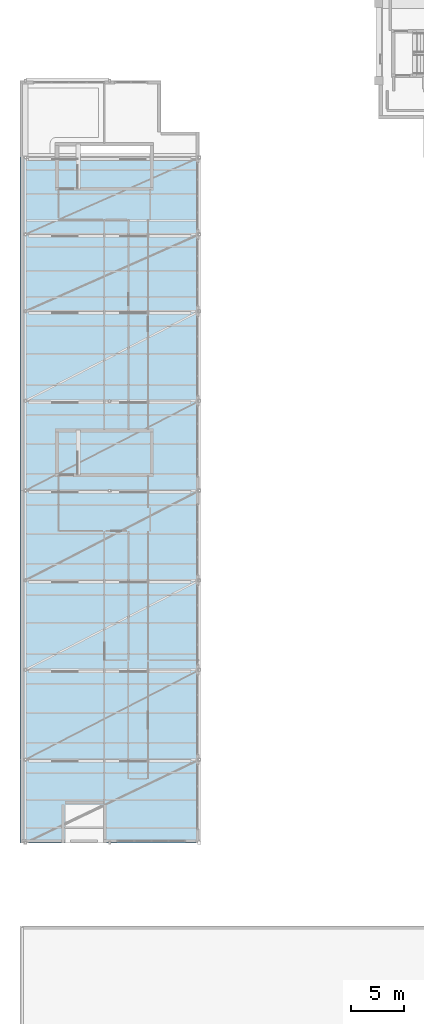
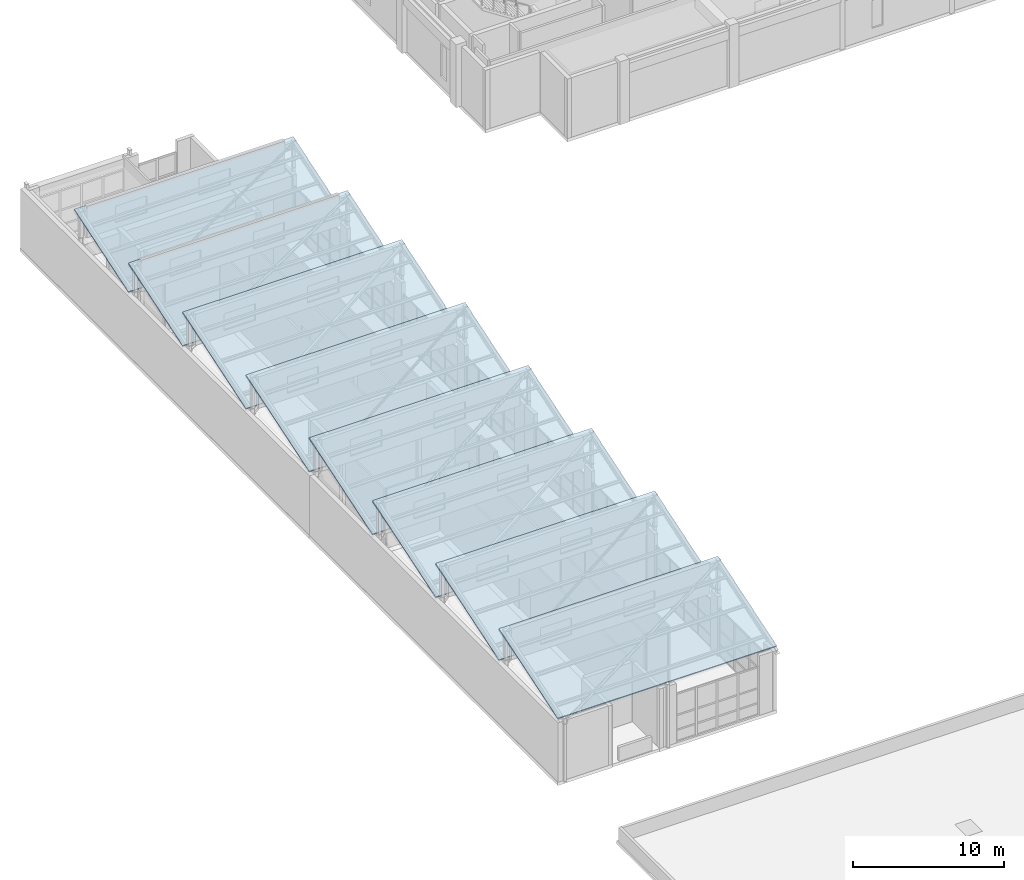
# One storey, part 31 of 34: 8 roofs.
"""IFC4 building model written with IfcOpenShell, lengths in metres."""

from ifc_helpers import new_model, si_unit, direction, frame, origin, place, context, subcontext, project, spatial, polyline, outline, extrude, material, layer, layer_set, type_object, element, save


model = new_model("IFC4")

# Units and contexts
model_context = context("Model", 3, precision=1e-05, world=origin(), true_north=direction((0.0, 1.0)))
body_context = subcontext(model_context, "Body", "Model", "MODEL_VIEW")
ifc_project = project(units=[si_unit("LENGTHUNIT", "METRE"), si_unit("AREAUNIT", "SQUARE_METRE"), si_unit("VOLUMEUNIT", "CUBIC_METRE"), si_unit("PLANEANGLEUNIT", "RADIAN"), si_unit("MASSUNIT", "GRAM", prefix="KILO")], contexts=[model_context])

# Site, building, storey
site_placement = place(None, origin())
site = spatial("IfcSite", under=ifc_project, at=site_placement, CompositionType="ELEMENT")
building_placement = place(site_placement, origin())
building = spatial("IfcBuilding", under=site, at=building_placement, Name="Quendrovan Civic Courthouse", CompositionType="ELEMENT")
storey_placement = place(building_placement, frame((0.0, 0.0, 25.5)))
storey = spatial("IfcBuildingStorey", under=building, at=storey_placement, Name="L06", CompositionType="ELEMENT", Elevation=25.5)

# Roofs
ifc_material = material(Name="Precast concrete C45/55", Category="concrete")
ifc_layer = layer(ifc_material, 0.10009765625, Name="Precast concrete C45/55")
ifc_layer_set = layer_set([ifc_layer], Name="Precast concrete C45/55")
roof_type = type_object("IfcRoofType", Name="ROOF-SHED-ASSY", PredefinedType="SHED_ROOF", material=ifc_layer_set)
roof_1_placement = place(storey_placement, frame((0.0, 23.39990234375, 5.199951171875), z_axis=(0.0, -0.309020780749, 0.951055286019), x_axis=(1.0, 0.0, 0.0)))
element("IfcRoof", 1, at=roof_1_placement, inside=storey, type_object=roof_type, Name="Law Library North-Light Shed Roof Assembly Bay 1", PredefinedType="SHED_ROOF", context=body_context, shape_type="SweptSolid", body=[
    extrude(outline(polyline([(0.0, 0.0), (16.800048828125, 0.0), (16.800048828125, 8.20146729931309), (0.0, 8.20146729931309), (0.0, 0.0)])), origin(), (0.0, 0.0, -1.0), 0.10009765625),
])
roof_2_placement = place(storey_placement, frame((0.0, 31.199951171875, 5.199951171875), z_axis=(0.0, -0.309004193636, 0.951060675412), x_axis=(1.0, 0.0, 0.0)))
element("IfcRoof", 2, at=roof_2_placement, inside=storey, type_object=roof_type, Name="Law Library North-Light Shed Roof Assembly Bay 2", PredefinedType="SHED_ROOF", context=body_context, shape_type="SweptSolid", body=[
    extrude(outline(polyline([(0.0, 0.0), (16.800048828125, 0.0), (16.800048828125, 8.832398080947703), (0.0, 8.832398080947703), (0.0, 0.0)])), origin(), (0.0, 0.0, -1.0), 0.10009765625),
])
for number, where, z_axis, x_axis, name in (
    (3, (0.0, 39.60009765625, 5.199951171875), (0.0, -0.309012317167, 0.951058036), (1.0, 0.0, 0.0), "Law Library North-Light Shed Roof Assembly Bay 3"),
    (4, (0.0, 48.0, 5.199951171875), (0.0, -0.309012317167, 0.951058036), (1.0, 0.0, 0.0), "Law Library North-Light Shed Roof Assembly Bay 4"),
):
    element("IfcRoof", number, at=place(storey_placement, frame(where, z_axis=z_axis, x_axis=x_axis)), inside=storey, type_object=roof_type, Name=name, PredefinedType="SHED_ROOF", context=body_context, shape_type="SweptSolid", body=[
        extrude(outline(polyline([(0.0, 0.0), (16.800048828125, 0.0), (16.800048828125, 8.832165888722184), (0.0, 8.832165888722184), (0.0, 0.0)])), origin(), (0.0, 0.0, -1.0), 0.10009765625),
    ])
roof_3_placement = place(storey_placement, frame((0.0, 56.39990234375, 5.199951171875), z_axis=(0.0, -0.309004193636, 0.951060675412), x_axis=(1.0, 0.0, 0.0)))
element("IfcRoof", 5, at=roof_3_placement, inside=storey, type_object=roof_type, Name="Law Library North-Light Shed Roof Assembly Bay 5", PredefinedType="SHED_ROOF", context=body_context, shape_type="SweptSolid", body=[
    extrude(outline(polyline([(0.0, 0.0), (16.800048828125, 0.0), (16.800048828125, 8.832398080947703), (0.0, 8.832398080947703), (0.0, 0.0)])), origin(), (0.0, 0.0, -1.0), 0.10009765625),
])
roof_4_placement = place(storey_placement, frame((0.0, 64.800048828125, 5.199951171875), z_axis=(0.0, -0.309012317167, 0.951058036), x_axis=(1.0, 0.0, 0.0)))
element("IfcRoof", 6, at=roof_4_placement, inside=storey, type_object=roof_type, Name="Law Library North-Light Shed Roof Assembly Bay 6", PredefinedType="SHED_ROOF", context=body_context, shape_type="SweptSolid", body=[
    extrude(outline(polyline([(0.0, 0.0), (16.800048828125, 0.0), (16.800048828125, 8.832165888722184), (0.0, 8.832165888722184), (0.0, 0.0)])), origin(), (0.0, 0.0, -1.0), 0.10009765625),
])
roof_5_placement = place(storey_placement, frame((0.0, 73.199951171875, 5.199951171875), z_axis=(0.0, -0.309010963217, 0.951058475916), x_axis=(1.0, 0.0, 0.0)))
element("IfcRoof", 7, at=roof_5_placement, inside=storey, type_object=roof_type, Name="Law Library North-Light Shed Roof Assembly Bay 7", PredefinedType="SHED_ROOF", context=body_context, shape_type="SweptSolid", body=[
    extrude(outline(polyline([(0.0, 0.0), (16.800048828125, 0.0), (16.800048828125, 7.57046107489859), (0.0, 7.57046107489859), (0.0, 0.0)])), origin(), (0.0, 0.0, -1.0), 0.10009765625),
])
roof_6_placement = place(storey_placement, frame((0.0, 80.39990234375, 5.199951171875), z_axis=(0.0, -0.309001485882, 0.95106155517), x_axis=(1.0, 0.0, 0.0)))
element("IfcRoof", 8, at=roof_6_placement, inside=storey, type_object=roof_type, Name="Law Library North-Light Shed Roof Assembly Bay 8", PredefinedType="SHED_ROOF", context=body_context, shape_type="SweptSolid", body=[
    extrude(outline(polyline([(0.0, 0.0), (16.800048828125, 0.0), (16.800048828125, 7.570693267285203), (0.0, 7.570693267285203), (0.0, 0.0)])), origin(), (0.0, 0.0, -1.0), 0.10009765625),
])

save(model, "model.ifc")
